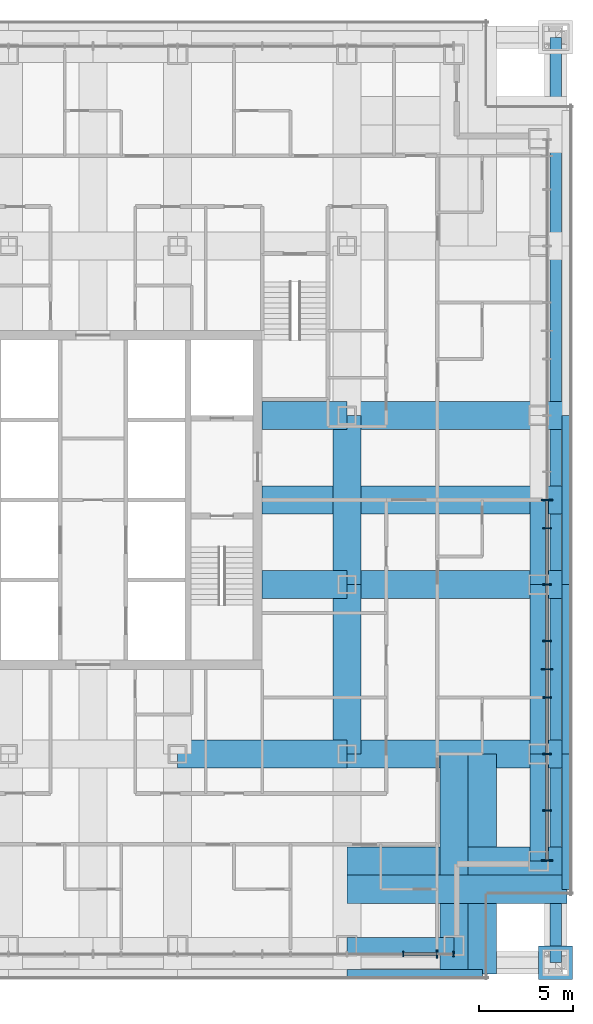
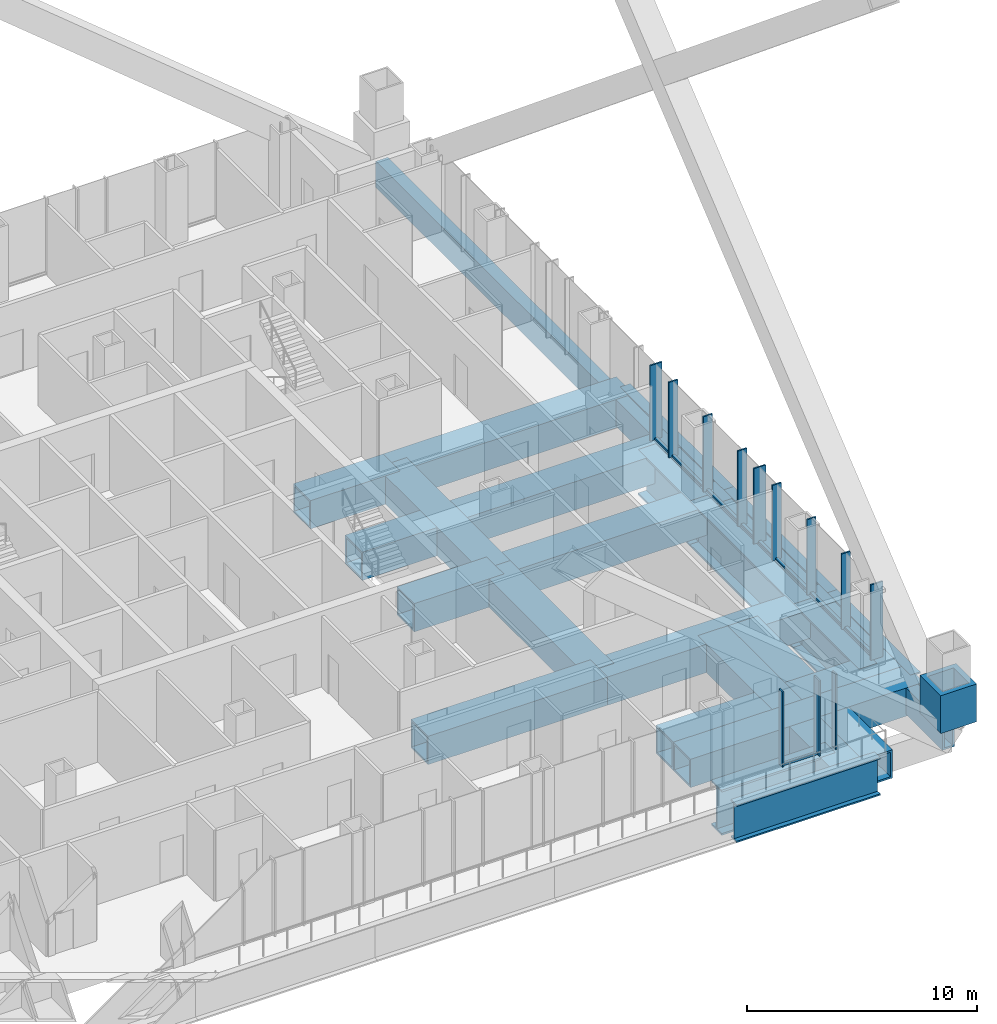
# One storey, part 7 of 20: 23 members, 21 beams, 2 elements without a shape of their own.
"""IFC4 building model written with IfcOpenShell, lengths in metres."""

from ifc_helpers import new_model, si_unit, direction, frame, origin, origin_2d, place, context, subcontext, project, spatial, rectangle, hollow_rectangle, i_section, extrude, material, layer, layer_set, material_profile, profile_set, type_object, element, aggregate, save


model = new_model("IFC4")

# Units and contexts
model_context = context("Model", 3, precision=1e-05, world=origin(), true_north=direction((0.0, 1.0)))
body_context = subcontext(model_context, "Body", "Model", "MODEL_VIEW")
ifc_project = project(units=[si_unit("LENGTHUNIT", "METRE"), si_unit("AREAUNIT", "SQUARE_METRE"), si_unit("VOLUMEUNIT", "CUBIC_METRE"), si_unit("PLANEANGLEUNIT", "RADIAN"), si_unit("MASSUNIT", "GRAM", prefix="KILO")], contexts=[model_context])

# Site, building, storey
site_placement = place(None, origin())
site = spatial("IfcSite", under=ifc_project, at=site_placement, CompositionType="ELEMENT")
building_placement = place(site_placement, origin())
building = spatial("IfcBuilding", under=site, at=building_placement, Name="Malebo Sky Hospital", CompositionType="ELEMENT")
storey_placement = place(building_placement, frame((0.0, 0.0, 100.0)))
storey = spatial("IfcBuildingStorey", under=building, at=storey_placement, Name="L23", CompositionType="ELEMENT", Elevation=100.0)

# Curtain wall, member
ifc_material_1 = material(Name="Anodised aluminium, natural silver", Category="aluminium")
ifc_layer_1 = layer(ifc_material_1, 0.25)
ifc_layer_set_1 = layer_set([ifc_layer_1], Name="WARD CURTAIN WALL NORTH AND SOUTH")
curtain_wall_type_1 = type_object("IfcCurtainWallType", Name="WARD CURTAIN WALL NORTH AND SOUTH", PredefinedType="NOTDEFINED", material=ifc_layer_set_1)
curtain_wall_1_placement = place(storey_placement, origin())
curtain_wall_1 = element("IfcCurtainWall", 1, at=curtain_wall_1_placement, inside=storey, type_object=curtain_wall_type_1, Name="NS curtain wall S", PredefinedType="NOTDEFINED")
ifc_material_profile_1 = material_profile(ifc_material_1, rectangle(XDim=0.14990234375, YDim=0.10009765625, at=origin_2d()), Name="ALUMINIUM TRANSOM 150x100")
ifc_profile_set_1 = profile_set([ifc_material_profile_1], Name="Anodised aluminium, natural silver")
member_type_1 = type_object("IfcMemberType", Name="ALUMINIUM TRANSOM 150x100", PredefinedType="USERDEFINED", material=ifc_profile_set_1)
member_1_placement = place(storey_placement, frame((78.262451171875, 37.864990234375, 0.050048828125), z_axis=(-1.0, 0.0, 0.0), x_axis=(0.0, -1.0, 0.0)))
member_1 = element("IfcMember", 2, at=member_1_placement, type_object=member_type_1, Name="Transom 2", ObjectType="TRANSOM", PredefinedType="USERDEFINED", context=body_context, shape_type="SweptSolid", body=[
    extrude(rectangle(XDim=0.14990234375, YDim=0.10009765625, at=origin_2d()), origin(), (0.0, 0.0, 1.0), 1.724853515625),
])

# Curtain wall, members
ifc_layer_2 = layer(ifc_material_1, 0.25)
ifc_layer_set_2 = layer_set([ifc_layer_2], Name="WARD CURTAIN WALL EAST AND WEST")
curtain_wall_type_2 = type_object("IfcCurtainWallType", Name="WARD CURTAIN WALL EAST AND WEST", PredefinedType="NOTDEFINED", material=ifc_layer_set_2)
curtain_wall_2_placement = place(storey_placement, origin())
curtain_wall_2 = element("IfcCurtainWall", 3, at=curtain_wall_2_placement, inside=storey, type_object=curtain_wall_type_2, Name="EW curtain wall E", PredefinedType="NOTDEFINED")
member_2_placement = place(storey_placement, frame((84.135009765625, 61.96240234375, 0.050048828125), z_axis=(0.0, -1.0, 0.0), x_axis=(1.0, 0.0, 0.0)))
member_2 = element("IfcMember", 4, at=member_2_placement, type_object=member_type_1, Name="Transom 10", ObjectType="TRANSOM", PredefinedType="USERDEFINED", context=body_context, shape_type="SweptSolid", body=[
    extrude(rectangle(XDim=0.14990234375, YDim=0.10009765625, at=origin_2d()), origin(), (0.0, 0.0, 1.0), 1.4248046875),
])
member_3_placement = place(storey_placement, frame((84.135009765625, 60.46240234375, 0.050048828125), z_axis=(0.0, -1.0, 0.0), x_axis=(1.0, 0.0, 0.0)))
member_3 = element("IfcMember", 5, at=member_3_placement, type_object=member_type_1, Name="Transom 11", ObjectType="TRANSOM", PredefinedType="USERDEFINED", context=body_context, shape_type="SweptSolid", body=[
    extrude(rectangle(XDim=0.14990234375, YDim=0.10009765625, at=origin_2d()), origin(), (0.0, 0.0, 1.0), 2.9248046875),
])
member_4_placement = place(storey_placement, frame((84.135009765625, 57.46240234375, 0.050048828125), z_axis=(0.0, -1.0, 0.0), x_axis=(1.0, 0.0, 0.0)))
member_4 = element("IfcMember", 6, at=member_4_placement, type_object=member_type_1, Name="Transom 12", ObjectType="TRANSOM", PredefinedType="USERDEFINED", context=body_context, shape_type="SweptSolid", body=[
    extrude(rectangle(XDim=0.14990234375, YDim=0.10009765625, at=origin_2d()), origin(), (0.0, 0.0, 1.0), 2.9248046875),
])
member_5_placement = place(storey_placement, frame((84.135009765625, 54.46240234375, 0.050048828125), z_axis=(0.0, -1.0, 0.0), x_axis=(1.0, 0.0, 0.0)))
member_5 = element("IfcMember", 7, at=member_5_placement, type_object=member_type_1, Name="Transom 13", ObjectType="TRANSOM", PredefinedType="USERDEFINED", context=body_context, shape_type="SweptSolid", body=[
    extrude(rectangle(XDim=0.14990234375, YDim=0.10009765625, at=origin_2d()), origin(), (0.0, 0.0, 1.0), 1.4248046875),
])
member_6_placement = place(storey_placement, frame((84.135009765625, 52.96240234375, 0.050048828125), z_axis=(0.0, -1.0, 0.0), x_axis=(1.0, 0.0, 0.0)))
member_6 = element("IfcMember", 8, at=member_6_placement, type_object=member_type_1, Name="Transom 14", ObjectType="TRANSOM", PredefinedType="USERDEFINED", context=body_context, shape_type="SweptSolid", body=[
    extrude(rectangle(XDim=0.14990234375, YDim=0.10009765625, at=origin_2d()), origin(), (0.0, 0.0, 1.0), 1.4248046875),
])
member_7_placement = place(storey_placement, frame((84.135009765625, 51.46240234375, 0.050048828125), z_axis=(0.0, -1.0, 0.0), x_axis=(1.0, 0.0, 0.0)))
member_7 = element("IfcMember", 9, at=member_7_placement, type_object=member_type_1, Name="Transom 15", ObjectType="TRANSOM", PredefinedType="USERDEFINED", context=body_context, shape_type="SweptSolid", body=[
    extrude(rectangle(XDim=0.14990234375, YDim=0.10009765625, at=origin_2d()), origin(), (0.0, 0.0, 1.0), 2.9248046875),
])
member_8_placement = place(storey_placement, frame((84.135009765625, 48.46240234375, 0.050048828125), z_axis=(0.0, -1.0, 0.0), x_axis=(1.0, 0.0, 0.0)))
member_8 = element("IfcMember", 10, at=member_8_placement, type_object=member_type_1, Name="Transom 16", ObjectType="TRANSOM", PredefinedType="USERDEFINED", context=body_context, shape_type="SweptSolid", body=[
    extrude(rectangle(XDim=0.14990234375, YDim=0.10009765625, at=origin_2d()), origin(), (0.0, 0.0, 1.0), 2.9248046875),
])
member_9_placement = place(storey_placement, frame((84.135009765625, 45.46240234375, 0.050048828125), z_axis=(0.0, -1.0, 0.0), x_axis=(1.0, 0.0, 0.0)))
member_9 = element("IfcMember", 11, at=member_9_placement, type_object=member_type_1, Name="Transom 17", ObjectType="TRANSOM", PredefinedType="USERDEFINED", context=body_context, shape_type="SweptSolid", body=[
    extrude(rectangle(XDim=0.14990234375, YDim=0.10009765625, at=origin_2d()), origin(), (0.0, 0.0, 1.0), 2.58740234375),
])

# Member
ifc_material_profile_2 = material_profile(ifc_material_1, rectangle(XDim=0.074951171875, YDim=0.300048828125, at=origin_2d()), Name="CW1 ALUMINIUM FIN MULLION 75x300")
ifc_profile_set_2 = profile_set([ifc_material_profile_2], Name="Anodised aluminium, natural silver")
member_type_2 = type_object("IfcMemberType", Name="CW1 ALUMINIUM FIN MULLION 75x300", PredefinedType="MULLION", material=ifc_profile_set_2)
member_10_placement = place(storey_placement, frame((79.16259765625, 37.864990234375, 0.0), z_axis=(0.0, 0.0, 1.0), x_axis=(-1.0, 0.0, 0.0)))
member_10 = element("IfcMember", 12, at=member_10_placement, type_object=member_type_2, Name="Fin mullion 1", PredefinedType="MULLION", context=body_context, shape_type="SweptSolid", body=[
    extrude(rectangle(XDim=0.074951171875, YDim=0.300048828125, at=origin_2d()), origin(), (0.0, 0.0, 1.0), 4.0),
])

member_11_placement = place(storey_placement, frame((76.5, 37.864990234375, 0.0), z_axis=(0.0, 0.0, 1.0), x_axis=(-1.0, 0.0, 0.0)))
member_11 = element("IfcMember", 13, at=member_11_placement, type_object=member_type_2, Name="Fin mullion 3", PredefinedType="MULLION", context=body_context, shape_type="SweptSolid", body=[
    extrude(rectangle(XDim=0.074951171875, YDim=0.300048828125, at=origin_2d()), origin(), (0.0, 0.0, 1.0), 4.0),
])

ifc_material_profile_3 = material_profile(ifc_material_1, rectangle(XDim=0.074951171875, YDim=0.449951171875, at=origin_2d()), Name="CW1 ALUMINIUM FIN MULLION 75x450")
ifc_profile_set_3 = profile_set([ifc_material_profile_3], Name="Anodised aluminium, natural silver")
member_type_3 = type_object("IfcMemberType", Name="CW1 ALUMINIUM FIN MULLION 75x450", PredefinedType="MULLION", material=ifc_profile_set_3)
member_12_placement = place(storey_placement, frame((78.300048828125, 37.864990234375, 0.0), z_axis=(0.0, 0.0, 1.0), x_axis=(-1.0, 0.0, 0.0)))
member_12 = element("IfcMember", 14, at=member_12_placement, type_object=member_type_3, Name="Fin mullion 2", PredefinedType="MULLION", context=body_context, shape_type="SweptSolid", body=[
    extrude(rectangle(XDim=0.074951171875, YDim=0.449951171875, at=origin_2d()), origin(), (0.0, 0.0, 1.0), 4.0),
])

aggregate(curtain_wall_1, [member_10, member_12, member_11, member_1])

ifc_material_profile_4 = material_profile(ifc_material_1, rectangle(XDim=0.074951171875, YDim=0.449951171875, at=origin_2d()), Name="CW2 ALUMINIUM FIN MULLION 75x450")
ifc_profile_set_4 = profile_set([ifc_material_profile_4], Name="Anodised aluminium, natural silver")
member_type_4 = type_object("IfcMemberType", Name="CW2 ALUMINIUM FIN MULLION 75x450", PredefinedType="MULLION", material=ifc_profile_set_4)
member_13_placement = place(storey_placement, frame((84.135009765625, 60.5, 0.0), z_axis=(0.0, 0.0, 1.0), x_axis=(0.0, -1.0, 0.0)))
member_13 = element("IfcMember", 15, at=member_13_placement, type_object=member_type_4, Name="Fin mullion 11", PredefinedType="MULLION", context=body_context, shape_type="SweptSolid", body=[
    extrude(rectangle(XDim=0.074951171875, YDim=0.449951171875, at=origin_2d()), origin(), (0.0, 0.0, 1.0), 4.0),
])

member_14_placement = place(storey_placement, frame((84.135009765625, 57.5, 0.0), z_axis=(0.0, 0.0, 1.0), x_axis=(0.0, -1.0, 0.0)))
member_14 = element("IfcMember", 16, at=member_14_placement, type_object=member_type_4, Name="Fin mullion 12", PredefinedType="MULLION", context=body_context, shape_type="SweptSolid", body=[
    extrude(rectangle(XDim=0.074951171875, YDim=0.449951171875, at=origin_2d()), origin(), (0.0, 0.0, 1.0), 4.0),
])

member_15_placement = place(storey_placement, frame((84.135009765625, 54.5, 0.0), z_axis=(0.0, 0.0, 1.0), x_axis=(0.0, -1.0, 0.0)))
member_15 = element("IfcMember", 17, at=member_15_placement, type_object=member_type_4, Name="Fin mullion 13", PredefinedType="MULLION", context=body_context, shape_type="SweptSolid", body=[
    extrude(rectangle(XDim=0.074951171875, YDim=0.449951171875, at=origin_2d()), origin(), (0.0, 0.0, 1.0), 4.0),
])

member_16_placement = place(storey_placement, frame((84.135009765625, 51.5, 0.0), z_axis=(0.0, 0.0, 1.0), x_axis=(0.0, -1.0, 0.0)))
member_16 = element("IfcMember", 18, at=member_16_placement, type_object=member_type_4, Name="Fin mullion 15", PredefinedType="MULLION", context=body_context, shape_type="SweptSolid", body=[
    extrude(rectangle(XDim=0.074951171875, YDim=0.449951171875, at=origin_2d()), origin(), (0.0, 0.0, 1.0), 4.0),
])

member_17_placement = place(storey_placement, frame((84.135009765625, 48.5, 0.0), z_axis=(0.0, 0.0, 1.0), x_axis=(0.0, -1.0, 0.0)))
member_17 = element("IfcMember", 19, at=member_17_placement, type_object=member_type_4, Name="Fin mullion 16", PredefinedType="MULLION", context=body_context, shape_type="SweptSolid", body=[
    extrude(rectangle(XDim=0.074951171875, YDim=0.449951171875, at=origin_2d()), origin(), (0.0, 0.0, 1.0), 4.0),
])

member_18_placement = place(storey_placement, frame((84.135009765625, 45.5, 0.0), z_axis=(0.0, 0.0, 1.0), x_axis=(0.0, -1.0, 0.0)))
member_18 = element("IfcMember", 20, at=member_18_placement, type_object=member_type_4, Name="Fin mullion 17", PredefinedType="MULLION", context=body_context, shape_type="SweptSolid", body=[
    extrude(rectangle(XDim=0.074951171875, YDim=0.449951171875, at=origin_2d()), origin(), (0.0, 0.0, 1.0), 4.0),
])

ifc_material_profile_5 = material_profile(ifc_material_1, rectangle(XDim=0.074951171875, YDim=0.60009765625, at=origin_2d()), Name="CW2 ALUMINIUM FIN MULLION 75x600")
ifc_profile_set_5 = profile_set([ifc_material_profile_5], Name="Anodised aluminium, natural silver")
member_type_5 = type_object("IfcMemberType", Name="CW2 ALUMINIUM FIN MULLION 75x600", PredefinedType="MULLION", material=ifc_profile_set_5)
member_19_placement = place(storey_placement, frame((84.135009765625, 62.0, 0.0), z_axis=(0.0, 0.0, 1.0), x_axis=(0.0, -1.0, 0.0)))
member_19 = element("IfcMember", 21, at=member_19_placement, type_object=member_type_5, Name="Fin mullion 10", PredefinedType="MULLION", context=body_context, shape_type="SweptSolid", body=[
    extrude(rectangle(XDim=0.074951171875, YDim=0.60009765625, at=origin_2d()), origin(), (0.0, 0.0, 1.0), 4.0),
])

member_20_placement = place(storey_placement, frame((84.135009765625, 53.0, 0.0), z_axis=(0.0, 0.0, 1.0), x_axis=(0.0, -1.0, 0.0)))
member_20 = element("IfcMember", 22, at=member_20_placement, type_object=member_type_5, Name="Fin mullion 14", PredefinedType="MULLION", context=body_context, shape_type="SweptSolid", body=[
    extrude(rectangle(XDim=0.074951171875, YDim=0.60009765625, at=origin_2d()), origin(), (0.0, 0.0, 1.0), 4.0),
])

member_21_placement = place(storey_placement, frame((84.135009765625, 42.83740234375, 0.0), z_axis=(0.0, 0.0, 1.0), x_axis=(0.0, -1.0, 0.0)))
member_21 = element("IfcMember", 23, at=member_21_placement, type_object=member_type_5, Name="Fin mullion 18", PredefinedType="MULLION", context=body_context, shape_type="SweptSolid", body=[
    extrude(rectangle(XDim=0.074951171875, YDim=0.60009765625, at=origin_2d()), origin(), (0.0, 0.0, 1.0), 4.0),
])

aggregate(curtain_wall_2, [member_19, member_13, member_14, member_15, member_20, member_16, member_17, member_18, member_21, member_2, member_3, member_4, member_5, member_6, member_7, member_8, member_9])

# Members
ifc_material_2 = material(Name="Steel S460", Category="steel")
ifc_material_profile_6 = material_profile(ifc_material_2, hollow_rectangle(XDim=1.800048828125, YDim=1.800048828125, WallThickness=0.25, at=origin_2d()), Name="BOX 1800x1800x250")
ifc_profile_set_6 = profile_set([ifc_material_profile_6], Name="Steel S460")
member_type_6 = type_object("IfcMemberType", Name="MEGA COLUMN NODE BOX 1800x1800x250", PredefinedType="MEMBER", material=ifc_profile_set_6)
member_22_placement = place(storey_placement, frame((84.60009765625, 37.39990234375, 0.0), z_axis=(0.0, 0.0, 1.0), x_axis=(1.0, 0.0, 0.0)))
element("IfcMember", 24, at=member_22_placement, inside=storey, type_object=member_type_6, Name="Mega column node SE L23", PredefinedType="MEMBER", context=body_context, shape_type="SweptSolid", body=[
    extrude(hollow_rectangle(XDim=1.800048828125, YDim=1.800048828125, WallThickness=0.25, at=origin_2d()), origin(), (0.0, 0.0, 1.0), 2.0),
])
ifc_material_profile_7 = material_profile(ifc_material_2, hollow_rectangle(XDim=0.60009765625, YDim=1.39990234375, WallThickness=0.10009765625, at=origin_2d()), Name="BOX 1400x600x100")
ifc_profile_set_7 = profile_set([ifc_material_profile_7], Name="Steel S460")
member_type_7 = type_object("IfcMemberType", Name="MEGA TIE BOX 1400x600x100", PredefinedType="CHORD", material=ifc_profile_set_7)
member_23_placement = place(storey_placement, frame((84.60009765625, 37.39990234375, -0.949951171875), z_axis=(0.0, 1.0, 0.0), x_axis=(-1.0, 0.0, 0.0)))
element("IfcMember", 25, at=member_23_placement, inside=storey, type_object=member_type_7, Name="Mega tie BE L23", PredefinedType="CHORD", context=body_context, shape_type="SweptSolid", body=[
    extrude(hollow_rectangle(XDim=0.60009765625, YDim=1.39990234375, WallThickness=0.10009765625, at=origin_2d()), origin(), (0.0, 0.0, 1.0), 49.2001953125),
])

# Beams
ifc_material_profile_8 = material_profile(ifc_material_2, hollow_rectangle(XDim=1.5, YDim=1.5, WallThickness=0.10009765625, at=origin_2d()), Name="BOX 1500x1500x100")
ifc_profile_set_8 = profile_set([ifc_material_profile_8], Name="Steel S460")
beam_type_1 = type_object("IfcBeamType", Name="TRANSFER GIRDER BOX 1500x1500x100", PredefinedType="BEAM", material=ifc_profile_set_8)
for number, where, z_axis, x_axis, name in (
    (26, (73.5, 48.5, -1.0), (0.0, 1.0, 0.0), (-1.0, 0.0, 0.0), "Beam 026 L23"),
    (27, (73.5, 57.5, -1.0), (0.0, 1.0, 0.0), (-1.0, 0.0, 0.0), "Beam 027 L23"),
    (28, (64.5, 48.5, -1.0), (1.0, 0.0, 0.0), (0.0, 1.0, 0.0), "Beam 053 L23"),
):
    element("IfcBeam", number, at=place(storey_placement, frame(where, z_axis=z_axis, x_axis=x_axis)), inside=storey, type_object=beam_type_1, Name=name, PredefinedType="BEAM", context=body_context, shape_type="SweptSolid", body=[
        extrude(hollow_rectangle(XDim=1.5, YDim=1.5, WallThickness=0.10009765625, at=origin_2d()), origin(), (0.0, 0.0, 1.0), 9.0),
    ])
beam_1_placement = place(storey_placement, frame((73.5, 48.5, -1.0), z_axis=(1.0, 0.0, 0.0), x_axis=(0.0, 1.0, 0.0)))
element("IfcBeam", 29, at=beam_1_placement, inside=storey, type_object=beam_type_1, Name="Beam 054 L23", PredefinedType="BEAM", context=body_context, shape_type="SweptSolid", body=[
    extrude(hollow_rectangle(XDim=1.5, YDim=1.5, WallThickness=0.10009765625, at=origin_2d()), origin(), (0.0, 0.0, 1.0), 11.699951171875),
])
beam_2_placement = place(storey_placement, frame((69.0, 57.5, -1.0), z_axis=(1.0, 0.0, 0.0), x_axis=(0.0, 1.0, 0.0)))
element("IfcBeam", 30, at=beam_2_placement, inside=storey, type_object=beam_type_1, Name="Beam 057 L23", PredefinedType="BEAM", context=body_context, shape_type="SweptSolid", body=[
    extrude(hollow_rectangle(XDim=1.5, YDim=1.5, WallThickness=0.10009765625, at=origin_2d()), origin(), (0.0, 0.0, 1.0), 4.5),
])
beam_3_placement = place(storey_placement, frame((73.5, 57.5, -1.0), z_axis=(1.0, 0.0, 0.0), x_axis=(0.0, 1.0, 0.0)))
element("IfcBeam", 31, at=beam_3_placement, inside=storey, type_object=beam_type_1, Name="Beam 058 L23", PredefinedType="BEAM", context=body_context, shape_type="SweptSolid", body=[
    extrude(hollow_rectangle(XDim=1.5, YDim=1.5, WallThickness=0.10009765625, at=origin_2d()), origin(), (0.0, 0.0, 1.0), 11.699951171875),
])
beam_4_placement = place(storey_placement, frame((69.0, 66.5, -1.0), z_axis=(1.0, 0.0, 0.0), x_axis=(0.0, 1.0, 0.0)))
element("IfcBeam", 32, at=beam_4_placement, inside=storey, type_object=beam_type_1, Name="Beam 063 L23", PredefinedType="BEAM", context=body_context, shape_type="SweptSolid", body=[
    extrude(hollow_rectangle(XDim=1.5, YDim=1.5, WallThickness=0.10009765625, at=origin_2d()), origin(), (0.0, 0.0, 1.0), 4.5),
])
for number, where, z_axis, x_axis, name in (
    (33, (73.5, 66.5, -1.0), (1.0, 0.0, 0.0), (0.0, 1.0, 0.0), "Beam 064 L23"),
    (34, (79.199951171875, 36.800048828125, -1.0), (0.0, 1.0, 0.0), (-1.0, 0.0, 0.0), "Beam 030 L23"),
    (35, (80.699951171875, 36.800048828125, -1.0), (0.0, 1.0, 0.0), (-1.0, 0.0, 0.0), "Beam 032 L23"),
    (36, (73.5, 41.300048828125, -1.0), (1.0, 0.0, 0.0), (0.0, 1.0, 0.0), "Beam 047 L23"),
    (37, (73.5, 42.800048828125, -1.0), (1.0, 0.0, 0.0), (0.0, 1.0, 0.0), "Beam 049 L23"),
):
    element("IfcBeam", number, at=place(storey_placement, frame(where, z_axis=z_axis, x_axis=x_axis)), inside=storey, type_object=beam_type_1, Name=name, PredefinedType="BEAM", context=body_context, shape_type="SweptSolid", body=[
        extrude(hollow_rectangle(XDim=1.5, YDim=1.5, WallThickness=0.10009765625, at=origin_2d()), origin(), (0.0, 0.0, 1.0), 11.699951171875),
    ])
beam_5_placement = place(storey_placement, frame((69.0, 62.0, -1.0), z_axis=(1.0, 0.0, 0.0), x_axis=(0.0, 1.0, 0.0)))
element("IfcBeam", 38, at=beam_5_placement, inside=storey, type_object=beam_type_1, Name="Beam 060 L23", PredefinedType="BEAM", context=body_context, shape_type="SweptSolid", body=[
    extrude(hollow_rectangle(XDim=1.5, YDim=1.5, WallThickness=0.10009765625, at=origin_2d()), origin(), (0.0, 0.0, 1.0), 16.199951171875),
])
ifc_material_3 = material(Name="Steel S355", Category="steel")
ifc_material_profile_9 = material_profile(ifc_material_3, i_section(OverallWidth=0.5, OverallDepth=2.0, WebThickness=0.0400390625, FlangeThickness=0.080078125, at=origin_2d()), Name="PG 2000x500x40x80")
ifc_profile_set_9 = profile_set([ifc_material_profile_9], Name="Steel S355")
beam_type_2 = type_object("IfcBeamType", Name="TRANSFER GIRDER PG 2000x500x40x80", PredefinedType="BEAM", material=ifc_profile_set_9)
beam_6_placement = place(storey_placement, frame((85.199951171875, 41.300048828125, -1.25), z_axis=(0.0, 1.0, 0.0), x_axis=(-1.0, 0.0, 0.0)))
element("IfcBeam", 39, at=beam_6_placement, inside=storey, type_object=beam_type_2, Name="Beam 035 L23", PredefinedType="BEAM", context=body_context, shape_type="SweptSolid", body=[
    extrude(i_section(OverallWidth=0.5, OverallDepth=2.0, WebThickness=0.0400390625, FlangeThickness=0.080078125, at=origin_2d()), origin(), (0.0, 0.0, 1.0), 7.199951171875),
])
for number, where, z_axis, x_axis, name in (
    (40, (85.199951171875, 48.5, -1.25), (0.0, 1.0, 0.0), (-1.0, 0.0, 0.0), "Beam 036 L23"),
    (41, (85.199951171875, 57.5, -1.25), (0.0, 1.0, 0.0), (-1.0, 0.0, 0.0), "Beam 037 L23"),
):
    element("IfcBeam", number, at=place(storey_placement, frame(where, z_axis=z_axis, x_axis=x_axis)), inside=storey, type_object=beam_type_2, Name=name, PredefinedType="BEAM", context=body_context, shape_type="SweptSolid", body=[
        extrude(i_section(OverallWidth=0.5, OverallDepth=2.0, WebThickness=0.0400390625, FlangeThickness=0.080078125, at=origin_2d()), origin(), (0.0, 0.0, 1.0), 9.0),
    ])
beam_7_placement = place(storey_placement, frame((73.5, 36.800048828125, -1.25), z_axis=(1.0, 0.0, 0.0), x_axis=(0.0, 1.0, 0.0)))
element("IfcBeam", 42, at=beam_7_placement, inside=storey, type_object=beam_type_2, Name="Beam 044 L23", PredefinedType="BEAM", context=body_context, shape_type="SweptSolid", body=[
    extrude(i_section(OverallWidth=0.5, OverallDepth=2.0, WebThickness=0.0400390625, FlangeThickness=0.080078125, at=origin_2d()), origin(), (0.0, 0.0, 1.0), 7.199951171875),
])
ifc_material_profile_10 = material_profile(ifc_material_3, i_section(OverallWidth=0.89990234375, OverallDepth=2.39990234375, WebThickness=0.050048828125, FlangeThickness=0.10009765625, at=origin_2d()), Name="PG 2400x900x50x100")
ifc_profile_set_10 = profile_set([ifc_material_profile_10], Name="Steel S355")
beam_type_3 = type_object("IfcBeamType", Name="TRANSFER GIRDER PG 2400x900x50x100", PredefinedType="BEAM", material=ifc_profile_set_10)
beam_8_placement = place(storey_placement, frame((83.699951171875, 42.800048828125, -1.449951171875), z_axis=(0.0, 1.0, 0.0), x_axis=(-1.0, 0.0, 0.0)))
element("IfcBeam", 43, at=beam_8_placement, inside=storey, type_object=beam_type_3, Name="Beam 034 L23", PredefinedType="BEAM", context=body_context, shape_type="SweptSolid", body=[
    extrude(i_section(OverallWidth=0.89990234375, OverallDepth=2.39990234375, WebThickness=0.050048828125, FlangeThickness=0.10009765625, at=origin_2d()), origin(), (0.0, 0.0, 1.0), 5.699951171875),
])
beam_9_placement = place(storey_placement, frame((83.699951171875, 48.5, -1.449951171875), z_axis=(0.0, 1.0, 0.0), x_axis=(-1.0, 0.0, 0.0)))
element("IfcBeam", 44, at=beam_9_placement, inside=storey, type_object=beam_type_3, Name="Beam 034b L23", PredefinedType="BEAM", context=body_context, shape_type="SweptSolid", body=[
    extrude(i_section(OverallWidth=0.89990234375, OverallDepth=2.39990234375, WebThickness=0.050048828125, FlangeThickness=0.10009765625, at=origin_2d()), origin(), (0.0, 0.0, 1.0), 9.0),
])
beam_10_placement = place(storey_placement, frame((83.699951171875, 57.5, -1.449951171875), z_axis=(0.0, 1.0, 0.0), x_axis=(-1.0, 0.0, 0.0)))
element("IfcBeam", 45, at=beam_10_placement, inside=storey, type_object=beam_type_3, Name="Beam 034c L23", PredefinedType="BEAM", context=body_context, shape_type="SweptSolid", body=[
    extrude(i_section(OverallWidth=0.89990234375, OverallDepth=2.39990234375, WebThickness=0.050048828125, FlangeThickness=0.10009765625, at=origin_2d()), origin(), (0.0, 0.0, 1.0), 4.5),
])
beam_11_placement = place(storey_placement, frame((73.5, 38.300048828125, -1.449951171875), z_axis=(1.0, 0.0, 0.0), x_axis=(0.0, 1.0, 0.0)))
element("IfcBeam", 46, at=beam_11_placement, inside=storey, type_object=beam_type_3, Name="Beam 045f L23", PredefinedType="BEAM", context=body_context, shape_type="SweptSolid", body=[
    extrude(i_section(OverallWidth=0.89990234375, OverallDepth=2.39990234375, WebThickness=0.050048828125, FlangeThickness=0.10009765625, at=origin_2d()), origin(), (0.0, 0.0, 1.0), 5.699951171875),
])

save(model, "model.ifc")
